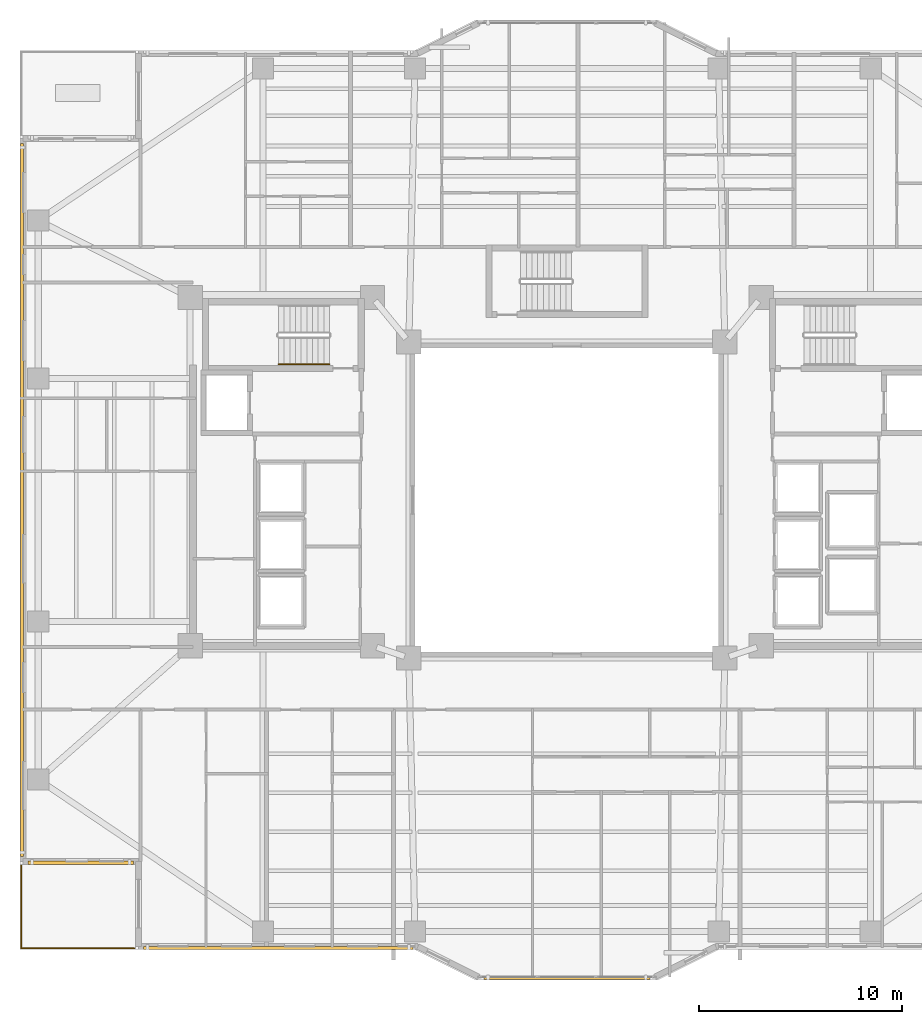
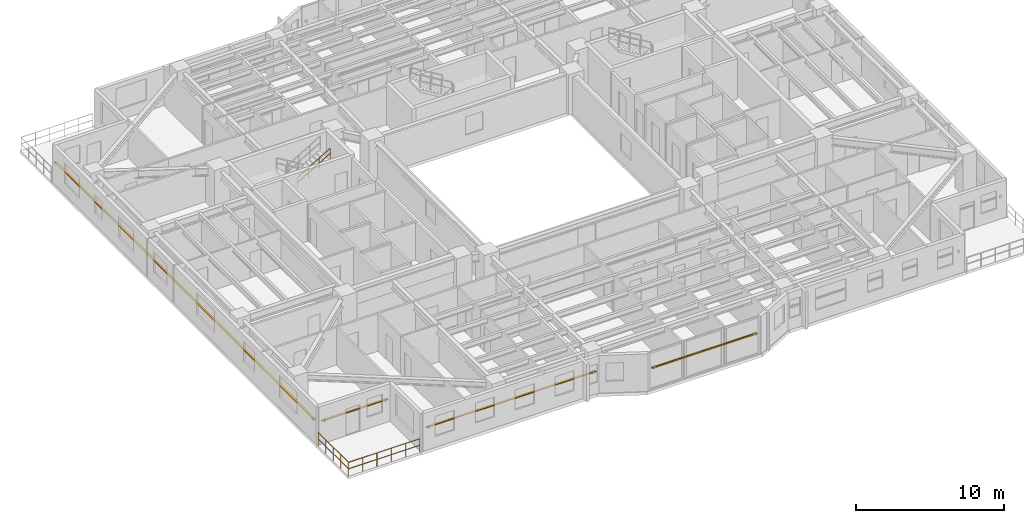
# One storey, part 15 of 19: 4 shading devices, 3 railings.
"""IFC4 building model written with IfcOpenShell, lengths in metres."""

from ifc_helpers import new_model, si_unit, direction, frame, origin, origin_2d, place, context, subcontext, project, spatial, rectangle, circle, extrude, material, material_profile, profile_set, type_object, element, save


model = new_model("IFC4")

# Units and contexts
model_context = context("Model", 3, precision=1e-05, world=origin(), true_north=direction((0.0, 1.0)))
body_context = subcontext(model_context, "Body", "Model", "MODEL_VIEW")
ifc_project = project(units=[si_unit("LENGTHUNIT", "METRE"), si_unit("AREAUNIT", "SQUARE_METRE"), si_unit("VOLUMEUNIT", "CUBIC_METRE"), si_unit("PLANEANGLEUNIT", "RADIAN"), si_unit("MASSUNIT", "GRAM", prefix="KILO")], contexts=[model_context])

# Site, building, storey
site_placement = place(None, origin())
site = spatial("IfcSite", under=ifc_project, at=site_placement, CompositionType="ELEMENT")
building_placement = place(site_placement, origin())
building = spatial("IfcBuilding", under=site, at=building_placement, Name="Tarnavaz Court Tower", CompositionType="ELEMENT")
storey_placement = place(building_placement, frame((0.0, 0.0, 78.300048828125)))
storey = spatial("IfcBuildingStorey", under=building, at=storey_placement, Name="L20", CompositionType="ELEMENT", Elevation=78.300048828125)

# Railings
ifc_material_1 = material(Name="Anodised Aluminium 6063-T6 and Laminated Safety Glass", Category="aluminium")
railing_type_1 = type_object("IfcRailingType", Name="RL-BAL-1120", PredefinedType="BALUSTRADE", material=ifc_material_1)
railing_1_placement = place(storey_placement, frame((-26.93994140625, -22.139892578125, 0.0)))
element("IfcRailing", 1, at=railing_1_placement, inside=storey, type_object=railing_type_1, Name="L20 Terrace 4 S Perimeter Balustrade", PredefinedType="BALUSTRADE", context=body_context, shape_type="SweptSolid", body=[
    extrude(circle(Radius=0.02392578125, at=origin_2d()), frame((0.0, 0.0, 1.09619140625), z_axis=(1.0, 0.0, 0.0), x_axis=(0.0, 1.0, 0.0)), (0.0, 0.0, 1.0), 5.579833984375),
    extrude(circle(Radius=0.02392578125, at=origin_2d()), frame((0.0, 0.0, 0.56005859375), z_axis=(1.0, 0.0, 0.0), x_axis=(0.0, 1.0, 0.0)), (0.0, 0.0, 1.0), 5.579833984375),
    extrude(circle(Radius=0.02099609375, at=origin_2d()), origin(), (0.0, 0.0, 1.0), 1.072021484375),
    extrude(circle(Radius=0.02099609375, at=origin_2d()), frame((1.115966796875, 0.0, 0.0)), (0.0, 0.0, 1.0), 1.072021484375),
    extrude(circle(Radius=0.02099609375, at=origin_2d()), frame((2.23193359375, 0.0, 0.0)), (0.0, 0.0, 1.0), 1.072021484375),
    extrude(circle(Radius=0.02099609375, at=origin_2d()), frame((3.347900390625, 0.0, 0.0)), (0.0, 0.0, 1.0), 1.072021484375),
    extrude(circle(Radius=0.02099609375, at=origin_2d()), frame((4.4638671875, 0.0, 0.0)), (0.0, 0.0, 1.0), 1.072021484375),
    extrude(circle(Radius=0.02099609375, at=origin_2d()), frame((5.579833984375, 0.0, 0.0)), (0.0, 0.0, 1.0), 1.072021484375),
])
railing_2_placement = place(storey_placement, frame((-26.93994140625, -18.06005859375, 0.0)))
element("IfcRailing", 2, at=railing_2_placement, inside=storey, type_object=railing_type_1, Name="L20 Terrace 4 W Perimeter Balustrade", PredefinedType="BALUSTRADE", context=body_context, shape_type="SweptSolid", body=[
    extrude(circle(Radius=0.02392578125, at=origin_2d()), frame((0.0, 0.0, 1.09619140625), z_axis=(0.0, -1.0, 0.0), x_axis=(1.0, 0.0, 0.0)), (0.0, 0.0, 1.0), 4.079833984375),
    extrude(circle(Radius=0.02392578125, at=origin_2d()), frame((0.0, 0.0, 0.56005859375), z_axis=(0.0, -1.0, 0.0), x_axis=(1.0, 0.0, 0.0)), (0.0, 0.0, 1.0), 4.079833984375),
    extrude(circle(Radius=0.02099609375, at=origin_2d()), origin(), (0.0, 0.0, 1.0), 1.072021484375),
    extrude(circle(Radius=0.02099609375, at=origin_2d()), frame((0.0, -1.02001953125, 0.0)), (0.0, 0.0, 1.0), 1.072021484375),
    extrude(circle(Radius=0.02099609375, at=origin_2d()), frame((0.0, -2.0400390625, 0.0)), (0.0, 0.0, 1.0), 1.072021484375),
    extrude(circle(Radius=0.02099609375, at=origin_2d()), frame((0.0, -3.059814453125, 0.0)), (0.0, 0.0, 1.0), 1.072021484375),
    extrude(circle(Radius=0.02099609375, at=origin_2d()), frame((0.0, -4.079833984375, 0.0)), (0.0, 0.0, 1.0), 1.072021484375),
])
ifc_material_2 = material(Name="Brushed Stainless Steel", Category="steel")
railing_type_2 = type_object("IfcRailingType", Name="RL-HANDRAIL-900", PredefinedType="HANDRAIL", material=ifc_material_2)
railing_3_placement = place(storey_placement, frame((-14.239990234375, 6.699951171875, 1.842529296875)))
element("IfcRailing", 3, at=railing_3_placement, inside=storey, type_object=railing_type_2, Name="L20 ST-W1 stair handrail 2", PredefinedType="HANDRAIL", context=body_context, shape_type="SweptSolid", body=[
    extrude(circle(Radius=0.02392578125, at=origin_2d()), frame((0.0, 0.0, 0.8759765625), z_axis=(0.858196387827, 0.0, 0.513321497621), x_axis=(0.0, 1.0, 0.0)), (0.0, 0.0, 1.0), 2.9365234375),
    extrude(circle(Radius=0.02392578125, at=origin_2d()), frame((0.0, 0.0, 0.449951171875), z_axis=(0.858196387827, 0.0, 0.513321497621), x_axis=(0.0, 1.0, 0.0)), (0.0, 0.0, 1.0), 2.9365234375),
    extrude(circle(Radius=0.02099609375, at=origin_2d()), origin(), (0.0, 0.0, 1.0), 0.851806640625),
    extrude(circle(Radius=0.02099609375, at=origin_2d()), frame((0.840087890625, 0.0, 0.50244140625)), (0.0, 0.0, 1.0), 0.851806640625),
    extrude(circle(Radius=0.02099609375, at=origin_2d()), frame((1.679931640625, 0.0, 1.0048828125)), (0.0, 0.0, 1.0), 0.851806640625),
    extrude(circle(Radius=0.02099609375, at=origin_2d()), frame((2.52001953125, 0.0, 1.50732421875)), (0.0, 0.0, 1.0), 0.851806640625),
])

# Shading devices
ifc_material_3 = material(Name="Kiln-Fired Khorasan Terracotta Ceramic", Category="masonry")
ifc_material_profile_1 = material_profile(ifc_material_3, rectangle(XDim=0.1201171875, YDim=0.06005859375, at=origin_2d()), Name="TC BAGUETTE 120X60")
ifc_profile_set_1 = profile_set([ifc_material_profile_1], Name="Kiln-Fired Khorasan Terracotta Ceramic")
shading_device_type_1 = type_object("IfcShadingDeviceType", Name="SD-BAG-120", PredefinedType="USERDEFINED", material=ifc_profile_set_1)
shading_device_1_placement = place(storey_placement, frame((4.10009765625, -23.610107421875, 1.800048828125), z_axis=(-1.0, 0.0, 0.0), x_axis=(0.0, -1.0, 0.0)))
element("IfcShadingDevice", 4, at=shading_device_1_placement, inside=storey, type_object=shading_device_type_1, Name="L20 Terracotta Baguette Screen PBG17", ObjectType="BAGUETTE", PredefinedType="USERDEFINED", context=body_context, shape_type="SweptSolid", body=[
    extrude(rectangle(XDim=0.1201171875, YDim=0.06005859375, at=origin_2d()), origin(), (0.0, 0.0, 1.0), 8.2001953125),
])
ifc_material_profile_2 = material_profile(ifc_material_3, rectangle(XDim=0.14990234375, YDim=0.06494140625, at=origin_2d()), Name="TC BAGUETTE 150X65")
ifc_profile_set_2 = profile_set([ifc_material_profile_2], Name="Kiln-Fired Khorasan Terracotta Ceramic")
shading_device_type_2 = type_object("IfcShadingDeviceType", Name="SD-BAG-150", PredefinedType="USERDEFINED", material=ifc_profile_set_2)
shading_device_2_placement = place(storey_placement, frame((-21.39990234375, -17.909912109375, 1.849853515625), z_axis=(-1.0, 0.0, 0.0), x_axis=(0.0, -1.0, 0.0)))
element("IfcShadingDevice", 5, at=shading_device_2_placement, inside=storey, type_object=shading_device_type_2, Name="L20 Terracotta Baguette Screen FBG01", ObjectType="BAGUETTE", PredefinedType="USERDEFINED", context=body_context, shape_type="SweptSolid", body=[
    extrude(rectangle(XDim=0.14990234375, YDim=0.06494140625, at=origin_2d()), origin(), (0.0, 0.0, 1.0), 5.2001953125),
])
shading_device_3_placement = place(storey_placement, frame((-26.909912109375, -17.60009765625, 1.849853515625), z_axis=(0.0, 1.0, 0.0), x_axis=(-1.0, 0.0, 0.0)))
element("IfcShadingDevice", 6, at=shading_device_3_placement, inside=storey, type_object=shading_device_type_2, Name="L20 Terracotta Baguette Screen FBG02", ObjectType="BAGUETTE", PredefinedType="USERDEFINED", context=body_context, shape_type="SweptSolid", body=[
    extrude(rectangle(XDim=0.14990234375, YDim=0.06494140625, at=origin_2d()), origin(), (0.0, 0.0, 1.0), 35.2001953125),
])
shading_device_4_placement = place(storey_placement, frame((-7.60009765625, -22.110107421875, 1.849853515625), z_axis=(-1.0, 0.0, 0.0), x_axis=(0.0, -1.0, 0.0)))
element("IfcShadingDevice", 7, at=shading_device_4_placement, inside=storey, type_object=shading_device_type_2, Name="L20 Terracotta Baguette Screen FBG19", ObjectType="BAGUETTE", PredefinedType="USERDEFINED", context=body_context, shape_type="SweptSolid", body=[
    extrude(rectangle(XDim=0.14990234375, YDim=0.06494140625, at=origin_2d()), origin(), (0.0, 0.0, 1.0), 13.2998046875),
])

save(model, "model.ifc")
